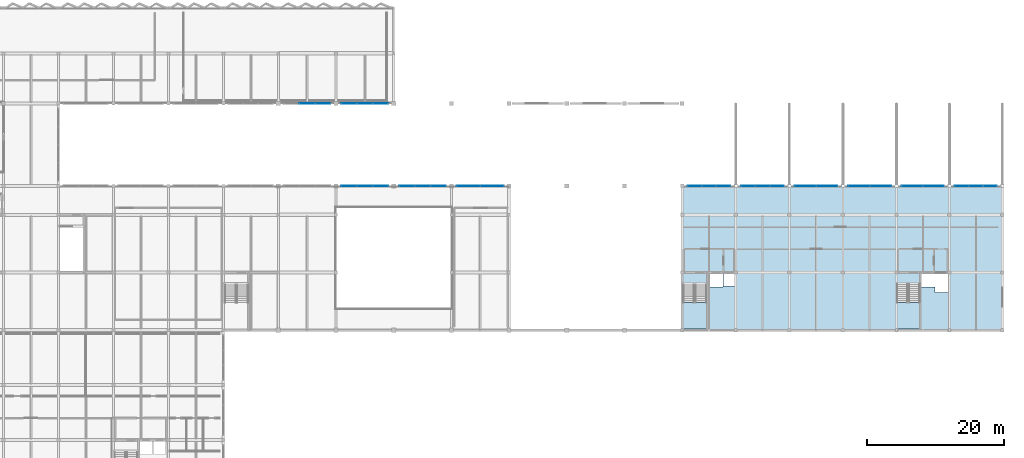
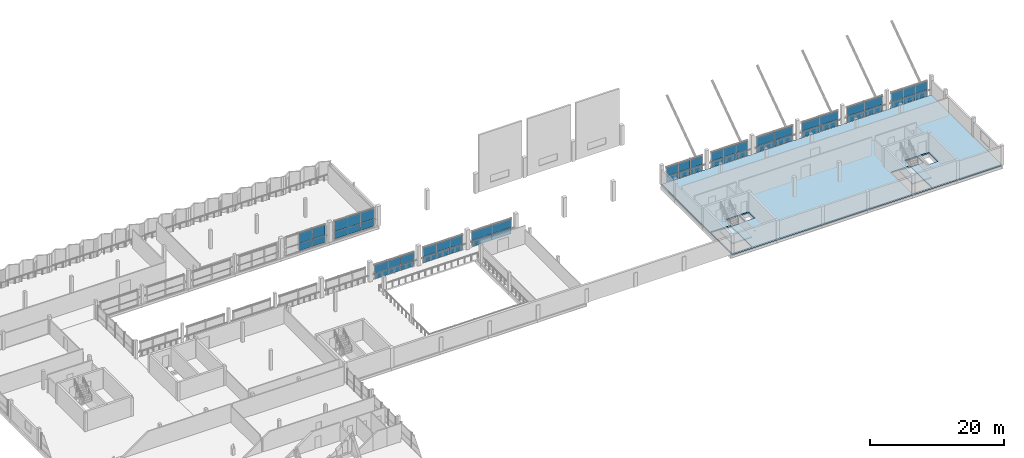
# One storey, part 33 of 51: 56 plates, 3 slabs, 13 elements without a shape of their own.
"""IFC4 building model written with IfcOpenShell, lengths in metres."""

import ifcopenshell
import ifcopenshell.guid

model = None  # the IFC model being written
_history = None  # IfcOwnerHistory: only IFC2X3 demands one
_inside = {}  # id of a spatial element -> (the spatial element, [elements in it])
_under = {}  # id of a project, library or spatial element -> (it, [spatial elements below it])
_declared = {}  # id of a project -> (the project, [libraries it declares])
_typed = {}  # id of a type object -> (the type object, [elements of that type])
_made_of = {}  # id of a material, layer set ... -> (it, [elements and type objects made of it])


def new_model(schema):
    """Start an empty IFC model of exactly this schema.

    Asked for "IFC4X3", IfcOpenShell would pick the latest addendum, in which some entities
    have other attributes; the version numbers below select the first issue.
    IFC2X3 requires an IfcOwnerHistory on every rooted entity: one is made here for all.
    """
    global model, _history
    if schema == "IFC4X3":
        model = ifcopenshell.file(schema_version=(4, 3, 0, 0))
    else:
        model = ifcopenshell.file(schema=schema)
    _inside.clear()
    _under.clear()
    _declared.clear()
    _typed.clear()
    _made_of.clear()
    _history = None
    if model.schema == "IFC2X3":
        org = make("IfcOrganization", Name="unknown")
        user = make(
            "IfcPersonAndOrganization",
            ThePerson=make("IfcPerson", FamilyName="unknown"),
            TheOrganization=org,
        )
        app = make(
            "IfcApplication",
            ApplicationDeveloper=org,
            Version="unknown",
            ApplicationFullName="unknown",
            ApplicationIdentifier="unknown",
        )
        _history = make(
            "IfcOwnerHistory",
            OwningUser=user,
            OwningApplication=app,
            ChangeAction="ADDED",
            CreationDate=0,
        )
    return model


def make(cls, **values):
    """One entity of the class cls with the attributes given. An attribute that is None is left unset."""
    return model.create_entity(
        cls, **{name: value for name, value in values.items() if value is not None}
    )


def rooted(cls, **values):
    """An entity with a GlobalId (a new one), such as an element, a storey or a relation."""
    return make(cls, GlobalId=ifcopenshell.guid.new(), OwnerHistory=_history, **values)


def si_unit(unit_type, name, prefix=None):
    """IfcSIUnit, for example si_unit("LENGTHUNIT", "METRE", prefix="MILLI")."""
    return make("IfcSIUnit", UnitType=unit_type, Prefix=prefix, Name=name)


def assignment(units):
    """IfcUnitAssignment: the units of a project."""
    return None if units is None else make("IfcUnitAssignment", Units=units)


def point(xyz):
    """IfcCartesianPoint."""
    return None if xyz is None else make("IfcCartesianPoint", Coordinates=xyz)


def direction(xyz):
    """IfcDirection."""
    return None if xyz is None else make("IfcDirection", DirectionRatios=xyz)


def frame(location, z_axis=None, x_axis=None):
    """IfcAxis2Placement3D, a coordinate frame: its origin and axes. An axis left out is left unset."""
    return make(
        "IfcAxis2Placement3D",
        Location=point(location),
        Axis=direction(z_axis),
        RefDirection=direction(x_axis),
    )


def frame_2d(location, x_axis=None):
    """IfcAxis2Placement2D, a coordinate frame in the plane: its origin and x axis."""
    return make(
        "IfcAxis2Placement2D", Location=point(location), RefDirection=direction(x_axis)
    )


def origin():
    """The frame at (0, 0, 0) with its axes left unset."""
    return frame((0.0, 0.0, 0.0))


def origin_2d():
    """The frame at (0, 0) in the plane with its x axis left unset."""
    return frame_2d((0.0, 0.0))


def place(relative_to, where):
    """IfcLocalPlacement: puts the frame where relative to a parent placement (None: the world)."""
    return make(
        "IfcLocalPlacement", PlacementRelTo=relative_to, RelativePlacement=where
    )


def context(
    kind, dimensions, precision=None, world=None, true_north=None, identifier=None
):
    """IfcGeometricRepresentationContext, for example the 3D "Model" context."""
    return make(
        "IfcGeometricRepresentationContext",
        ContextIdentifier=identifier,
        ContextType=kind,
        CoordinateSpaceDimension=dimensions,
        Precision=precision,
        WorldCoordinateSystem=world,
        TrueNorth=true_north,
    )


def subcontext(parent, identifier, kind, view, scale=None):
    """IfcGeometricRepresentationSubContext, for example "Body" below "Model"."""
    return make(
        "IfcGeometricRepresentationSubContext",
        ContextIdentifier=identifier,
        ContextType=kind,
        ParentContext=parent,
        TargetScale=scale,
        TargetView=view,
    )


def project(units=None, contexts=None):
    """IfcProject with its units and contexts."""
    return rooted(
        "IfcProject",
        Name="project",
        RepresentationContexts=contexts,
        UnitsInContext=assignment(units),
    )


def spatial(cls, under=None, at=None, **own):
    """A site, building, storey or space (cls), placed at a placement, below another one or the project."""
    s = rooted(cls, ObjectPlacement=at, **own)
    if under is not None:
        _under.setdefault(under.id(), (under, []))[1].append(s)
    return s


def polyline(points):
    """IfcPolyline through the points."""
    return make("IfcPolyline", Points=[point(p) for p in points])


def profile(cls, at=None, kind="AREA", **sizes):
    """A parametric profile (cls). Its sizes go by their IFC names, for example OverallWidth=200.0."""
    return make(cls, ProfileType=kind, Position=at, **sizes)


def rectangle(**sizes):
    """IfcRectangleProfileDef."""
    return profile("IfcRectangleProfileDef", **sizes)


def outline(outer, holes=None, kind="AREA"):
    """IfcArbitraryClosedProfileDef: a profile drawn as a closed curve; with holes, ...WithVoids."""
    if holes is None:
        return make("IfcArbitraryClosedProfileDef", ProfileType=kind, OuterCurve=outer)
    return make(
        "IfcArbitraryProfileDefWithVoids",
        ProfileType=kind,
        OuterCurve=outer,
        InnerCurves=holes,
    )


def extrude(swept, where, along, depth):
    """IfcExtrudedAreaSolid: the profile swept, set in the frame where, extruded along a direction by depth."""
    return make(
        "IfcExtrudedAreaSolid",
        SweptArea=swept,
        Position=where,
        ExtrudedDirection=direction(along),
        Depth=depth,
    )


def shape(context_of_items, identifier, shape_type, items):
    """IfcShapeRepresentation: the items that make up one representation, for example the "Body"."""
    return make(
        "IfcShapeRepresentation",
        ContextOfItems=context_of_items,
        RepresentationIdentifier=identifier,
        RepresentationType=shape_type,
        Items=items,
    )


def material(Name=None, Category=None):
    """IfcMaterial."""
    return make("IfcMaterial", Name=Name, Category=Category)


def layer(
    of_material, thickness, ventilated=None, Name=None, Category=None, Priority=None
):
    """IfcMaterialLayer: one layer of a wall or slab, of a material (None: an air gap)."""
    return make(
        "IfcMaterialLayer",
        Material=of_material,
        LayerThickness=thickness,
        IsVentilated=ventilated,
        Name=Name,
        Category=Category,
        Priority=Priority,
    )


def layer_set(layers, Name=None):
    """IfcMaterialLayerSet."""
    return make("IfcMaterialLayerSet", MaterialLayers=layers, LayerSetName=Name)


def made_of(thing, what):
    """Note that an element or type object is made of a material, layer set ...; save() writes the relation."""
    if what is not None:
        _made_of.setdefault(what.id(), (what, []))[1].append(thing)
    return thing


def type_object(cls, material=None, **own):
    """A type object (cls), such as IfcWallType, which elements share."""
    return made_of(rooted(cls, **own), material)


def element(
    cls,
    number,
    at=None,
    inside=None,
    cuts=None,
    type_object=None,
    material=None,
    context=None,
    identifier="Body",
    shape_type=None,
    held_by="IfcProductDefinitionShape",
    body=None,
    shapes=None,
    **own,
):
    """One element of the class cls, such as IfcWall. Its Tag is "e" and its number.

    at: its placement. inside: the storey or other place that contains it. cuts: it is an
    opening in that element (IfcRelVoidsElement). A single representation is given by context,
    identifier, shape_type and body (its items); several are given by shapes. held_by: the class
    of the entity that holds the representations. save() writes the other relations.
    """
    e = rooted(cls, Tag="e%d" % number, ObjectPlacement=at, **own)
    if body is not None:
        shapes = [shape(context, identifier, shape_type, body)]
    if shapes is not None:
        e.Representation = make(held_by, Representations=shapes)
    if inside is not None:
        _inside.setdefault(inside.id(), (inside, []))[1].append(e)
    if cuts is not None:
        rooted(
            "IfcRelVoidsElement", RelatingBuildingElement=cuts, RelatedOpeningElement=e
        )
    if type_object is not None:
        _typed.setdefault(type_object.id(), (type_object, []))[1].append(e)
    return made_of(e, material)


def aggregate(whole, parts):
    """IfcRelAggregates: a whole, such as a stair, and the parts it consists of."""
    return rooted("IfcRelAggregates", RelatingObject=whole, RelatedObjects=parts)


def save(model, path):
    """Write the relations noted so far, then the file.

    IfcRelAggregates (storeys below a building ...), IfcRelContainedInSpatialStructure (elements
    in a storey), IfcRelDefinesByType, IfcRelAssociatesMaterial and IfcRelDeclares: one each for
    every whole, place, type object, material and project.
    """
    for whole, parts in _under.values():
        aggregate(whole, parts)
    for where, things in _inside.values():
        rooted(
            "IfcRelContainedInSpatialStructure",
            RelatedElements=things,
            RelatingStructure=where,
        )
    for kind, things in _typed.values():
        rooted("IfcRelDefinesByType", RelatedObjects=things, RelatingType=kind)
    for what, things in _made_of.values():
        rooted("IfcRelAssociatesMaterial", RelatedObjects=things, RelatingMaterial=what)
    for by, libraries in _declared.values():
        rooted("IfcRelDeclares", RelatingContext=by, RelatedDefinitions=libraries)
    model.write(path)


model = new_model("IFC4")

# Units and contexts
model_context = context("Model", 3, precision=1e-05, world=origin(), true_north=direction((0.0, 1.0)))
body_context = subcontext(model_context, "Body", "Model", "MODEL_VIEW")
ifc_project = project(units=[si_unit("LENGTHUNIT", "METRE"), si_unit("AREAUNIT", "SQUARE_METRE"), si_unit("VOLUMEUNIT", "CUBIC_METRE"), si_unit("PLANEANGLEUNIT", "RADIAN"), si_unit("MASSUNIT", "GRAM", prefix="KILO")], contexts=[model_context])

# Site, building, storey
site_placement = place(None, origin())
site = spatial("IfcSite", under=ifc_project, at=site_placement, CompositionType="ELEMENT")
building_placement = place(site_placement, origin())
building = spatial("IfcBuilding", under=site, at=building_placement, Name="Vharandega Faculty of Natural Sciences", CompositionType="ELEMENT")
storey_placement = place(building_placement, frame((0.0, 0.0, 14.39990234375)))
storey = spatial("IfcBuildingStorey", under=building, at=storey_placement, Name="L03", CompositionType="ELEMENT", Elevation=14.39990234375)

# Curtain wall, plates
ifc_material_1 = material(Name="Aluminium and solar-control glass curtain wall", Category="aluminium")
curtain_wall_type_1 = type_object("IfcCurtainWallType", Name="Unitised Curtain Wall System CW-15", PredefinedType="NOTDEFINED", material=ifc_material_1)
curtain_wall_1_placement = place(storey_placement, origin())
curtain_wall_1 = element("IfcCurtainWall", 1, at=curtain_wall_1_placement, inside=storey, type_object=curtain_wall_type_1, Name="Curtain Wall CW-L03-014", PredefinedType="NOTDEFINED")
ifc_material_2 = material(Name="Double-glazed low-E solar glass", Category="glass")
ifc_layer_1 = layer(ifc_material_2, 0.028076171875, Name="Double-glazed low-E solar glass")
ifc_layer_set_1 = layer_set([ifc_layer_1], Name="Double-glazed low-E solar glass")
plate_type_1 = type_object("IfcPlateType", Name="CW Solar Vision Panel 28mm", PredefinedType="CURTAIN_PANEL", material=ifc_layer_set_1)
plate_1_placement = place(storey_placement, frame((116.6083984375, 85.0, 0.06005859375), z_axis=(0.0, 0.0, 1.0), x_axis=(1.0, 0.0, 0.0)))
plate_1 = element("IfcPlate", 2, at=plate_1_placement, type_object=plate_type_1, Name="CW-15 panel 1.1", PredefinedType="CURTAIN_PANEL", context=body_context, shape_type="SweptSolid", body=[
    extrude(rectangle(XDim=2.0166015625, YDim=0.028076171875, at=origin_2d()), origin(), (0.0, 0.0, 1.0), 1.0859375),
])
plate_2_placement = place(storey_placement, frame((116.6083984375, 85.0, 1.2060546875), z_axis=(0.0, 0.0, 1.0), x_axis=(1.0, 0.0, 0.0)))
plate_2 = element("IfcPlate", 3, at=plate_2_placement, type_object=plate_type_1, Name="CW-15 panel 1.2", PredefinedType="CURTAIN_PANEL", context=body_context, shape_type="SweptSolid", body=[
    extrude(rectangle(XDim=2.0166015625, YDim=0.028076171875, at=origin_2d()), origin(), (0.0, 0.0, 1.0), 1.533935546875),
])
plate_3_placement = place(storey_placement, frame((118.699951171875, 85.0, 0.06005859375), z_axis=(0.0, 0.0, 1.0), x_axis=(1.0, 0.0, 0.0)))
plate_3 = element("IfcPlate", 4, at=plate_3_placement, type_object=plate_type_1, Name="CW-15 panel 2.1", PredefinedType="CURTAIN_PANEL", context=body_context, shape_type="SweptSolid", body=[
    extrude(rectangle(XDim=2.046630859375, YDim=0.028076171875, at=origin_2d()), origin(), (0.0, 0.0, 1.0), 1.0859375),
])
plate_4_placement = place(storey_placement, frame((118.699951171875, 85.0, 1.2060546875), z_axis=(0.0, 0.0, 1.0), x_axis=(1.0, 0.0, 0.0)))
plate_4 = element("IfcPlate", 5, at=plate_4_placement, type_object=plate_type_1, Name="CW-15 panel 2.2", PredefinedType="CURTAIN_PANEL", context=body_context, shape_type="SweptSolid", body=[
    extrude(rectangle(XDim=2.046630859375, YDim=0.028076171875, at=origin_2d()), origin(), (0.0, 0.0, 1.0), 1.533935546875),
])
plate_5_placement = place(storey_placement, frame((120.791748046875, 85.0, 0.06005859375), z_axis=(0.0, 0.0, 1.0), x_axis=(1.0, 0.0, 0.0)))
plate_5 = element("IfcPlate", 6, at=plate_5_placement, type_object=plate_type_1, Name="CW-15 panel 3.1", PredefinedType="CURTAIN_PANEL", context=body_context, shape_type="SweptSolid", body=[
    extrude(rectangle(XDim=2.0166015625, YDim=0.028076171875, at=origin_2d()), origin(), (0.0, 0.0, 1.0), 1.0859375),
])
plate_6_placement = place(storey_placement, frame((120.791748046875, 85.0, 1.2060546875), z_axis=(0.0, 0.0, 1.0), x_axis=(1.0, 0.0, 0.0)))
plate_6 = element("IfcPlate", 7, at=plate_6_placement, type_object=plate_type_1, Name="CW-15 panel 3.2", PredefinedType="CURTAIN_PANEL", context=body_context, shape_type="SweptSolid", body=[
    extrude(rectangle(XDim=2.0166015625, YDim=0.028076171875, at=origin_2d()), origin(), (0.0, 0.0, 1.0), 1.533935546875),
])
aggregate(curtain_wall_1, [plate_1, plate_2, plate_3, plate_4, plate_5, plate_6])

ifc_material_3 = material(Name="Aluminium and solar-control glass curtain wall", Category="aluminium")
curtain_wall_type_2 = type_object("IfcCurtainWallType", Name="Unitised Curtain Wall System CW-16", PredefinedType="NOTDEFINED", material=ifc_material_3)
curtain_wall_2_placement = place(storey_placement, origin())
curtain_wall_2 = element("IfcCurtainWall", 8, at=curtain_wall_2_placement, inside=storey, type_object=curtain_wall_type_2, Name="Curtain Wall CW-L03-015", PredefinedType="NOTDEFINED")
plate_7_placement = place(storey_placement, frame((124.408447265625, 85.0, 0.06005859375), z_axis=(0.0, 0.0, 1.0), x_axis=(1.0, 0.0, 0.0)))
plate_7 = element("IfcPlate", 9, at=plate_7_placement, type_object=plate_type_1, Name="CW-16 panel 1.1", PredefinedType="CURTAIN_PANEL", context=body_context, shape_type="SweptSolid", body=[
    extrude(rectangle(XDim=2.0166015625, YDim=0.028076171875, at=origin_2d()), origin(), (0.0, 0.0, 1.0), 1.0859375),
])
plate_8_placement = place(storey_placement, frame((124.408447265625, 85.0, 1.2060546875), z_axis=(0.0, 0.0, 1.0), x_axis=(1.0, 0.0, 0.0)))
plate_8 = element("IfcPlate", 10, at=plate_8_placement, type_object=plate_type_1, Name="CW-16 panel 1.2", PredefinedType="CURTAIN_PANEL", context=body_context, shape_type="SweptSolid", body=[
    extrude(rectangle(XDim=2.0166015625, YDim=0.028076171875, at=origin_2d()), origin(), (0.0, 0.0, 1.0), 1.533935546875),
])
plate_9_placement = place(storey_placement, frame((126.5, 85.0, 0.06005859375), z_axis=(0.0, 0.0, 1.0), x_axis=(1.0, 0.0, 0.0)))
plate_9 = element("IfcPlate", 11, at=plate_9_placement, type_object=plate_type_1, Name="CW-16 panel 2.1", PredefinedType="CURTAIN_PANEL", context=body_context, shape_type="SweptSolid", body=[
    extrude(rectangle(XDim=2.046630859375, YDim=0.028076171875, at=origin_2d()), origin(), (0.0, 0.0, 1.0), 1.0859375),
])
plate_10_placement = place(storey_placement, frame((126.5, 85.0, 1.2060546875), z_axis=(0.0, 0.0, 1.0), x_axis=(1.0, 0.0, 0.0)))
plate_10 = element("IfcPlate", 12, at=plate_10_placement, type_object=plate_type_1, Name="CW-16 panel 2.2", PredefinedType="CURTAIN_PANEL", context=body_context, shape_type="SweptSolid", body=[
    extrude(rectangle(XDim=2.046630859375, YDim=0.028076171875, at=origin_2d()), origin(), (0.0, 0.0, 1.0), 1.533935546875),
])
plate_11_placement = place(storey_placement, frame((128.591552734375, 85.0, 0.06005859375), z_axis=(0.0, 0.0, 1.0), x_axis=(1.0, 0.0, 0.0)))
plate_11 = element("IfcPlate", 13, at=plate_11_placement, type_object=plate_type_1, Name="CW-16 panel 3.1", PredefinedType="CURTAIN_PANEL", context=body_context, shape_type="SweptSolid", body=[
    extrude(rectangle(XDim=2.0166015625, YDim=0.028076171875, at=origin_2d()), origin(), (0.0, 0.0, 1.0), 1.0859375),
])
plate_12_placement = place(storey_placement, frame((128.591552734375, 85.0, 1.2060546875), z_axis=(0.0, 0.0, 1.0), x_axis=(1.0, 0.0, 0.0)))
plate_12 = element("IfcPlate", 14, at=plate_12_placement, type_object=plate_type_1, Name="CW-16 panel 3.2", PredefinedType="CURTAIN_PANEL", context=body_context, shape_type="SweptSolid", body=[
    extrude(rectangle(XDim=2.0166015625, YDim=0.028076171875, at=origin_2d()), origin(), (0.0, 0.0, 1.0), 1.533935546875),
])
aggregate(curtain_wall_2, [plate_7, plate_8, plate_9, plate_10, plate_11, plate_12])

ifc_material_4 = material(Name="Aluminium and solar-control glass curtain wall", Category="aluminium")
curtain_wall_type_3 = type_object("IfcCurtainWallType", Name="Unitised Curtain Wall System CW-17", PredefinedType="NOTDEFINED", material=ifc_material_4)
curtain_wall_3_placement = place(storey_placement, origin())
curtain_wall_3 = element("IfcCurtainWall", 15, at=curtain_wall_3_placement, inside=storey, type_object=curtain_wall_type_3, Name="Curtain Wall CW-L03-016", PredefinedType="NOTDEFINED")
plate_13_placement = place(storey_placement, frame((132.735107421875, 85.0, 0.06005859375), z_axis=(0.0, 0.0, 1.0), x_axis=(1.0, 0.0, 0.0)))
plate_13 = element("IfcPlate", 16, at=plate_13_placement, type_object=plate_type_1, Name="CW-17 panel 1.1", PredefinedType="CURTAIN_PANEL", context=body_context, shape_type="SweptSolid", body=[
    extrude(rectangle(XDim=3.070068359375, YDim=0.028076171875, at=origin_2d()), origin(), (0.0, 0.0, 1.0), 1.0859375),
])
plate_14_placement = place(storey_placement, frame((132.735107421875, 85.0, 1.2060546875), z_axis=(0.0, 0.0, 1.0), x_axis=(1.0, 0.0, 0.0)))
plate_14 = element("IfcPlate", 17, at=plate_14_placement, type_object=plate_type_1, Name="CW-17 panel 1.2", PredefinedType="CURTAIN_PANEL", context=body_context, shape_type="SweptSolid", body=[
    extrude(rectangle(XDim=3.070068359375, YDim=0.028076171875, at=origin_2d()), origin(), (0.0, 0.0, 1.0), 1.533935546875),
])
plate_15_placement = place(storey_placement, frame((135.864990234375, 85.0, 0.06005859375), z_axis=(0.0, 0.0, 1.0), x_axis=(1.0, 0.0, 0.0)))
plate_15 = element("IfcPlate", 18, at=plate_15_placement, type_object=plate_type_1, Name="CW-17 panel 2.1", PredefinedType="CURTAIN_PANEL", context=body_context, shape_type="SweptSolid", body=[
    extrude(rectangle(XDim=3.070068359375, YDim=0.028076171875, at=origin_2d()), origin(), (0.0, 0.0, 1.0), 1.0859375),
])
plate_16_placement = place(storey_placement, frame((135.864990234375, 85.0, 1.2060546875), z_axis=(0.0, 0.0, 1.0), x_axis=(1.0, 0.0, 0.0)))
plate_16 = element("IfcPlate", 19, at=plate_16_placement, type_object=plate_type_1, Name="CW-17 panel 2.2", PredefinedType="CURTAIN_PANEL", context=body_context, shape_type="SweptSolid", body=[
    extrude(rectangle(XDim=3.070068359375, YDim=0.028076171875, at=origin_2d()), origin(), (0.0, 0.0, 1.0), 1.533935546875),
])
aggregate(curtain_wall_3, [plate_13, plate_14, plate_15, plate_16])

ifc_material_5 = material(Name="Aluminium and solar-control glass curtain wall", Category="aluminium")
curtain_wall_type_4 = type_object("IfcCurtainWallType", Name="Unitised Curtain Wall System CW-18", PredefinedType="NOTDEFINED", material=ifc_material_5)
curtain_wall_4_placement = place(storey_placement, origin())
curtain_wall_4 = element("IfcCurtainWall", 20, at=curtain_wall_4_placement, inside=storey, type_object=curtain_wall_type_4, Name="Curtain Wall CW-L03-017", PredefinedType="NOTDEFINED")
plate_17_placement = place(storey_placement, frame((140.534912109375, 85.0, 0.06005859375), z_axis=(0.0, 0.0, 1.0), x_axis=(1.0, 0.0, 0.0)))
plate_17 = element("IfcPlate", 21, at=plate_17_placement, type_object=plate_type_1, Name="CW-18 panel 1.1", PredefinedType="CURTAIN_PANEL", context=body_context, shape_type="SweptSolid", body=[
    extrude(rectangle(XDim=3.070068359375, YDim=0.028076171875, at=origin_2d()), origin(), (0.0, 0.0, 1.0), 1.0859375),
])
plate_18_placement = place(storey_placement, frame((140.534912109375, 85.0, 1.2060546875), z_axis=(0.0, 0.0, 1.0), x_axis=(1.0, 0.0, 0.0)))
plate_18 = element("IfcPlate", 22, at=plate_18_placement, type_object=plate_type_1, Name="CW-18 panel 1.2", PredefinedType="CURTAIN_PANEL", context=body_context, shape_type="SweptSolid", body=[
    extrude(rectangle(XDim=3.070068359375, YDim=0.028076171875, at=origin_2d()), origin(), (0.0, 0.0, 1.0), 1.533935546875),
])
plate_19_placement = place(storey_placement, frame((143.6650390625, 85.0, 0.06005859375), z_axis=(0.0, 0.0, 1.0), x_axis=(1.0, 0.0, 0.0)))
plate_19 = element("IfcPlate", 23, at=plate_19_placement, type_object=plate_type_1, Name="CW-18 panel 2.1", PredefinedType="CURTAIN_PANEL", context=body_context, shape_type="SweptSolid", body=[
    extrude(rectangle(XDim=3.070068359375, YDim=0.028076171875, at=origin_2d()), origin(), (0.0, 0.0, 1.0), 1.0859375),
])
plate_20_placement = place(storey_placement, frame((143.6650390625, 85.0, 1.2060546875), z_axis=(0.0, 0.0, 1.0), x_axis=(1.0, 0.0, 0.0)))
plate_20 = element("IfcPlate", 24, at=plate_20_placement, type_object=plate_type_1, Name="CW-18 panel 2.2", PredefinedType="CURTAIN_PANEL", context=body_context, shape_type="SweptSolid", body=[
    extrude(rectangle(XDim=3.070068359375, YDim=0.028076171875, at=origin_2d()), origin(), (0.0, 0.0, 1.0), 1.533935546875),
])
aggregate(curtain_wall_4, [plate_17, plate_18, plate_19, plate_20])

ifc_material_6 = material(Name="Aluminium and solar-control glass curtain wall", Category="aluminium")
curtain_wall_type_5 = type_object("IfcCurtainWallType", Name="Unitised Curtain Wall System CW-19", PredefinedType="NOTDEFINED", material=ifc_material_6)
curtain_wall_5_placement = place(storey_placement, origin())
curtain_wall_5 = element("IfcCurtainWall", 25, at=curtain_wall_5_placement, inside=storey, type_object=curtain_wall_type_5, Name="Curtain Wall CW-L03-018", PredefinedType="NOTDEFINED")
plate_21_placement = place(storey_placement, frame((148.31005859375, 85.0, 0.06005859375), z_axis=(0.0, 0.0, 1.0), x_axis=(1.0, 0.0, 0.0)))
plate_21 = element("IfcPlate", 26, at=plate_21_placement, type_object=plate_type_1, Name="CW-19 panel 1.1", PredefinedType="CURTAIN_PANEL", context=body_context, shape_type="SweptSolid", body=[
    extrude(rectangle(XDim=3.02001953125, YDim=0.028076171875, at=origin_2d()), origin(), (0.0, 0.0, 1.0), 1.0859375),
])
plate_22_placement = place(storey_placement, frame((148.31005859375, 85.0, 1.2060546875), z_axis=(0.0, 0.0, 1.0), x_axis=(1.0, 0.0, 0.0)))
plate_22 = element("IfcPlate", 27, at=plate_22_placement, type_object=plate_type_1, Name="CW-19 panel 1.2", PredefinedType="CURTAIN_PANEL", context=body_context, shape_type="SweptSolid", body=[
    extrude(rectangle(XDim=3.02001953125, YDim=0.028076171875, at=origin_2d()), origin(), (0.0, 0.0, 1.0), 1.533935546875),
])
plate_23_placement = place(storey_placement, frame((151.389892578125, 85.0, 0.06005859375), z_axis=(0.0, 0.0, 1.0), x_axis=(1.0, 0.0, 0.0)))
plate_23 = element("IfcPlate", 28, at=plate_23_placement, type_object=plate_type_1, Name="CW-19 panel 2.1", PredefinedType="CURTAIN_PANEL", context=body_context, shape_type="SweptSolid", body=[
    extrude(rectangle(XDim=3.02001953125, YDim=0.028076171875, at=origin_2d()), origin(), (0.0, 0.0, 1.0), 1.0859375),
])
plate_24_placement = place(storey_placement, frame((151.389892578125, 85.0, 1.2060546875), z_axis=(0.0, 0.0, 1.0), x_axis=(1.0, 0.0, 0.0)))
plate_24 = element("IfcPlate", 29, at=plate_24_placement, type_object=plate_type_1, Name="CW-19 panel 2.2", PredefinedType="CURTAIN_PANEL", context=body_context, shape_type="SweptSolid", body=[
    extrude(rectangle(XDim=3.02001953125, YDim=0.028076171875, at=origin_2d()), origin(), (0.0, 0.0, 1.0), 1.533935546875),
])
aggregate(curtain_wall_5, [plate_21, plate_22, plate_23, plate_24])

ifc_material_7 = material(Name="Aluminium and solar-control glass curtain wall", Category="aluminium")
curtain_wall_type_6 = type_object("IfcCurtainWallType", Name="Unitised Curtain Wall System CW-20", PredefinedType="NOTDEFINED", material=ifc_material_7)
curtain_wall_6_placement = place(storey_placement, origin())
curtain_wall_6 = element("IfcCurtainWall", 30, at=curtain_wall_6_placement, inside=storey, type_object=curtain_wall_type_6, Name="Curtain Wall CW-L03-019", PredefinedType="NOTDEFINED")
plate_25_placement = place(storey_placement, frame((155.49169921875, 85.0, 0.06005859375), z_axis=(0.0, 0.0, 1.0), x_axis=(1.0, 0.0, 0.0)))
plate_25 = element("IfcPlate", 31, at=plate_25_placement, type_object=plate_type_1, Name="CW-20 panel 1.1", PredefinedType="CURTAIN_PANEL", context=body_context, shape_type="SweptSolid", body=[
    extrude(rectangle(XDim=1.9833984375, YDim=0.028076171875, at=origin_2d()), origin(), (0.0, 0.0, 1.0), 1.0859375),
])
plate_26_placement = place(storey_placement, frame((155.49169921875, 85.0, 1.2060546875), z_axis=(0.0, 0.0, 1.0), x_axis=(1.0, 0.0, 0.0)))
plate_26 = element("IfcPlate", 32, at=plate_26_placement, type_object=plate_type_1, Name="CW-20 panel 1.2", PredefinedType="CURTAIN_PANEL", context=body_context, shape_type="SweptSolid", body=[
    extrude(rectangle(XDim=1.9833984375, YDim=0.028076171875, at=origin_2d()), origin(), (0.0, 0.0, 1.0), 1.533935546875),
])
plate_27_placement = place(storey_placement, frame((157.550048828125, 85.0, 0.06005859375), z_axis=(0.0, 0.0, 1.0), x_axis=(1.0, 0.0, 0.0)))
plate_27 = element("IfcPlate", 33, at=plate_27_placement, type_object=plate_type_1, Name="CW-20 panel 2.1", PredefinedType="CURTAIN_PANEL", context=body_context, shape_type="SweptSolid", body=[
    extrude(rectangle(XDim=2.013427734375, YDim=0.028076171875, at=origin_2d()), origin(), (0.0, 0.0, 1.0), 1.0859375),
])
plate_28_placement = place(storey_placement, frame((157.550048828125, 85.0, 1.2060546875), z_axis=(0.0, 0.0, 1.0), x_axis=(1.0, 0.0, 0.0)))
plate_28 = element("IfcPlate", 34, at=plate_28_placement, type_object=plate_type_1, Name="CW-20 panel 2.2", PredefinedType="CURTAIN_PANEL", context=body_context, shape_type="SweptSolid", body=[
    extrude(rectangle(XDim=2.013427734375, YDim=0.028076171875, at=origin_2d()), origin(), (0.0, 0.0, 1.0), 1.533935546875),
])
plate_29_placement = place(storey_placement, frame((159.6083984375, 85.0, 0.06005859375), z_axis=(0.0, 0.0, 1.0), x_axis=(1.0, 0.0, 0.0)))
plate_29 = element("IfcPlate", 35, at=plate_29_placement, type_object=plate_type_1, Name="CW-20 panel 3.1", PredefinedType="CURTAIN_PANEL", context=body_context, shape_type="SweptSolid", body=[
    extrude(rectangle(XDim=1.9833984375, YDim=0.028076171875, at=origin_2d()), origin(), (0.0, 0.0, 1.0), 1.0859375),
])
plate_30_placement = place(storey_placement, frame((159.6083984375, 85.0, 1.2060546875), z_axis=(0.0, 0.0, 1.0), x_axis=(1.0, 0.0, 0.0)))
plate_30 = element("IfcPlate", 36, at=plate_30_placement, type_object=plate_type_1, Name="CW-20 panel 3.2", PredefinedType="CURTAIN_PANEL", context=body_context, shape_type="SweptSolid", body=[
    extrude(rectangle(XDim=1.9833984375, YDim=0.028076171875, at=origin_2d()), origin(), (0.0, 0.0, 1.0), 1.533935546875),
])
aggregate(curtain_wall_6, [plate_25, plate_26, plate_27, plate_28, plate_29, plate_30])

curtain_wall_7_placement = place(storey_placement, origin())
curtain_wall_7 = element("IfcCurtainWall", 37, at=curtain_wall_7_placement, inside=storey, type_object=curtain_wall_type_2, Name="Curtain Wall CW-L03-071", PredefinedType="NOTDEFINED")
plate_31_placement = place(storey_placement, frame((60.199951171875, 97.0, 0.06005859375), z_axis=(0.0, 0.0, 1.0), x_axis=(1.0, 0.0, 0.0)))
plate_31 = element("IfcPlate", 38, at=plate_31_placement, type_object=plate_type_1, Name="CW-16 panel 2.1", PredefinedType="CURTAIN_PANEL", context=body_context, shape_type="SweptSolid", body=[
    extrude(rectangle(XDim=2.24658203125, YDim=0.028076171875, at=origin_2d()), origin(), (0.0, 0.0, 1.0), 1.304443359375),
])
plate_32_placement = place(storey_placement, frame((60.199951171875, 97.0, 1.42431640625), z_axis=(0.0, 0.0, 1.0), x_axis=(1.0, 0.0, 0.0)))
plate_32 = element("IfcPlate", 39, at=plate_32_placement, type_object=plate_type_1, Name="CW-16 panel 2.2", PredefinedType="CURTAIN_PANEL", context=body_context, shape_type="SweptSolid", body=[
    extrude(rectangle(XDim=2.24658203125, YDim=0.028076171875, at=origin_2d()), origin(), (0.0, 0.0, 1.0), 1.835693359375),
])
plate_33_placement = place(storey_placement, frame((62.49169921875, 97.0, 0.06005859375), z_axis=(0.0, 0.0, 1.0), x_axis=(1.0, 0.0, 0.0)))
plate_33 = element("IfcPlate", 40, at=plate_33_placement, type_object=plate_type_1, Name="CW-16 panel 3.1", PredefinedType="CURTAIN_PANEL", context=body_context, shape_type="SweptSolid", body=[
    extrude(rectangle(XDim=2.216552734375, YDim=0.028076171875, at=origin_2d()), origin(), (0.0, 0.0, 1.0), 1.304443359375),
])
plate_34_placement = place(storey_placement, frame((62.49169921875, 97.0, 1.42431640625), z_axis=(0.0, 0.0, 1.0), x_axis=(1.0, 0.0, 0.0)))
plate_34 = element("IfcPlate", 41, at=plate_34_placement, type_object=plate_type_1, Name="CW-16 panel 3.2", PredefinedType="CURTAIN_PANEL", context=body_context, shape_type="SweptSolid", body=[
    extrude(rectangle(XDim=2.216552734375, YDim=0.028076171875, at=origin_2d()), origin(), (0.0, 0.0, 1.0), 1.835693359375),
])
aggregate(curtain_wall_7, [plate_31, plate_32, plate_33, plate_34])

curtain_wall_8_placement = place(storey_placement, origin())
curtain_wall_8 = element("IfcCurtainWall", 42, at=curtain_wall_8_placement, inside=storey, type_object=curtain_wall_type_2, Name="Curtain Wall CW-L03-099", PredefinedType="NOTDEFINED")
plate_35_placement = place(storey_placement, frame((66.308349609375, 85.0, 0.06005859375), z_axis=(0.0, 0.0, 1.0), x_axis=(1.0, 0.0, 0.0)))
plate_35 = element("IfcPlate", 43, at=plate_35_placement, type_object=plate_type_1, Name="CW-16 panel 1.1", PredefinedType="CURTAIN_PANEL", context=body_context, shape_type="SweptSolid", body=[
    extrude(rectangle(XDim=2.216552734375, YDim=0.028076171875, at=origin_2d()), origin(), (0.0, 0.0, 1.0), 1.010498046875),
])
plate_36_placement = place(storey_placement, frame((66.308349609375, 85.0, 1.13037109375), z_axis=(0.0, 0.0, 1.0), x_axis=(1.0, 0.0, 0.0)))
plate_36 = element("IfcPlate", 44, at=plate_36_placement, type_object=plate_type_1, Name="CW-16 panel 1.2", PredefinedType="CURTAIN_PANEL", context=body_context, shape_type="SweptSolid", body=[
    extrude(rectangle(XDim=2.216552734375, YDim=0.028076171875, at=origin_2d()), origin(), (0.0, 0.0, 1.0), 1.4296875),
])
plate_37_placement = place(storey_placement, frame((68.60009765625, 85.0, 0.06005859375), z_axis=(0.0, 0.0, 1.0), x_axis=(1.0, 0.0, 0.0)))
plate_37 = element("IfcPlate", 45, at=plate_37_placement, type_object=plate_type_1, Name="CW-16 panel 2.1", PredefinedType="CURTAIN_PANEL", context=body_context, shape_type="SweptSolid", body=[
    extrude(rectangle(XDim=2.24658203125, YDim=0.028076171875, at=origin_2d()), origin(), (0.0, 0.0, 1.0), 1.010498046875),
])
plate_38_placement = place(storey_placement, frame((68.60009765625, 85.0, 1.13037109375), z_axis=(0.0, 0.0, 1.0), x_axis=(1.0, 0.0, 0.0)))
plate_38 = element("IfcPlate", 46, at=plate_38_placement, type_object=plate_type_1, Name="CW-16 panel 2.2", PredefinedType="CURTAIN_PANEL", context=body_context, shape_type="SweptSolid", body=[
    extrude(rectangle(XDim=2.24658203125, YDim=0.028076171875, at=origin_2d()), origin(), (0.0, 0.0, 1.0), 1.4296875),
])
plate_39_placement = place(storey_placement, frame((70.8916015625, 85.0, 0.06005859375), z_axis=(0.0, 0.0, 1.0), x_axis=(1.0, 0.0, 0.0)))
plate_39 = element("IfcPlate", 47, at=plate_39_placement, type_object=plate_type_1, Name="CW-16 panel 3.1", PredefinedType="CURTAIN_PANEL", context=body_context, shape_type="SweptSolid", body=[
    extrude(rectangle(XDim=2.216552734375, YDim=0.028076171875, at=origin_2d()), origin(), (0.0, 0.0, 1.0), 1.010498046875),
])
plate_40_placement = place(storey_placement, frame((70.8916015625, 85.0, 1.13037109375), z_axis=(0.0, 0.0, 1.0), x_axis=(1.0, 0.0, 0.0)))
plate_40 = element("IfcPlate", 48, at=plate_40_placement, type_object=plate_type_1, Name="CW-16 panel 3.2", PredefinedType="CURTAIN_PANEL", context=body_context, shape_type="SweptSolid", body=[
    extrude(rectangle(XDim=2.216552734375, YDim=0.028076171875, at=origin_2d()), origin(), (0.0, 0.0, 1.0), 1.4296875),
])
aggregate(curtain_wall_8, [plate_35, plate_36, plate_37, plate_38, plate_39, plate_40])

curtain_wall_9_placement = place(storey_placement, origin())
curtain_wall_9 = element("IfcCurtainWall", 49, at=curtain_wall_9_placement, inside=storey, type_object=curtain_wall_type_3, Name="Curtain Wall CW-L03-100", PredefinedType="NOTDEFINED")
plate_41_placement = place(storey_placement, frame((74.708251953125, 85.0, 0.06005859375), z_axis=(0.0, 0.0, 1.0), x_axis=(1.0, 0.0, 0.0)))
plate_41 = element("IfcPlate", 50, at=plate_41_placement, type_object=plate_type_1, Name="CW-17 panel 1.1", PredefinedType="CURTAIN_PANEL", context=body_context, shape_type="SweptSolid", body=[
    extrude(rectangle(XDim=2.216552734375, YDim=0.028076171875, at=origin_2d()), origin(), (0.0, 0.0, 1.0), 1.094482421875),
])
plate_42_placement = place(storey_placement, frame((74.708251953125, 85.0, 1.21435546875), z_axis=(0.0, 0.0, 1.0), x_axis=(1.0, 0.0, 0.0)))
plate_42 = element("IfcPlate", 51, at=plate_42_placement, type_object=plate_type_1, Name="CW-17 panel 1.2", PredefinedType="CURTAIN_PANEL", context=body_context, shape_type="SweptSolid", body=[
    extrude(rectangle(XDim=2.216552734375, YDim=0.028076171875, at=origin_2d()), origin(), (0.0, 0.0, 1.0), 1.545654296875),
])
plate_43_placement = place(storey_placement, frame((77.0, 85.0, 0.06005859375), z_axis=(0.0, 0.0, 1.0), x_axis=(1.0, 0.0, 0.0)))
plate_43 = element("IfcPlate", 52, at=plate_43_placement, type_object=plate_type_1, Name="CW-17 panel 2.1", PredefinedType="CURTAIN_PANEL", context=body_context, shape_type="SweptSolid", body=[
    extrude(rectangle(XDim=2.24658203125, YDim=0.028076171875, at=origin_2d()), origin(), (0.0, 0.0, 1.0), 1.094482421875),
])
plate_44_placement = place(storey_placement, frame((77.0, 85.0, 1.21435546875), z_axis=(0.0, 0.0, 1.0), x_axis=(1.0, 0.0, 0.0)))
plate_44 = element("IfcPlate", 53, at=plate_44_placement, type_object=plate_type_1, Name="CW-17 panel 2.2", PredefinedType="CURTAIN_PANEL", context=body_context, shape_type="SweptSolid", body=[
    extrude(rectangle(XDim=2.24658203125, YDim=0.028076171875, at=origin_2d()), origin(), (0.0, 0.0, 1.0), 1.545654296875),
])
plate_45_placement = place(storey_placement, frame((79.291748046875, 85.0, 0.06005859375), z_axis=(0.0, 0.0, 1.0), x_axis=(1.0, 0.0, 0.0)))
plate_45 = element("IfcPlate", 54, at=plate_45_placement, type_object=plate_type_1, Name="CW-17 panel 3.1", PredefinedType="CURTAIN_PANEL", context=body_context, shape_type="SweptSolid", body=[
    extrude(rectangle(XDim=2.216552734375, YDim=0.028076171875, at=origin_2d()), origin(), (0.0, 0.0, 1.0), 1.094482421875),
])
plate_46_placement = place(storey_placement, frame((79.291748046875, 85.0, 1.21435546875), z_axis=(0.0, 0.0, 1.0), x_axis=(1.0, 0.0, 0.0)))
plate_46 = element("IfcPlate", 55, at=plate_46_placement, type_object=plate_type_1, Name="CW-17 panel 3.2", PredefinedType="CURTAIN_PANEL", context=body_context, shape_type="SweptSolid", body=[
    extrude(rectangle(XDim=2.216552734375, YDim=0.028076171875, at=origin_2d()), origin(), (0.0, 0.0, 1.0), 1.545654296875),
])
aggregate(curtain_wall_9, [plate_41, plate_42, plate_43, plate_44, plate_45, plate_46])

curtain_wall_10_placement = place(storey_placement, origin())
curtain_wall_10 = element("IfcCurtainWall", 56, at=curtain_wall_10_placement, inside=storey, type_object=curtain_wall_type_4, Name="Curtain Wall CW-L03-101", PredefinedType="NOTDEFINED")
plate_47_placement = place(storey_placement, frame((83.68505859375, 85.0, 0.06005859375), z_axis=(0.0, 0.0, 1.0), x_axis=(1.0, 0.0, 0.0)))
plate_47 = element("IfcPlate", 57, at=plate_47_placement, type_object=plate_type_1, Name="CW-18 panel 1.1", PredefinedType="CURTAIN_PANEL", context=body_context, shape_type="SweptSolid", body=[
    extrude(rectangle(XDim=3.3701171875, YDim=0.028076171875, at=origin_2d()), origin(), (0.0, 0.0, 1.0), 1.094482421875),
])
plate_48_placement = place(storey_placement, frame((83.68505859375, 85.0, 1.21435546875), z_axis=(0.0, 0.0, 1.0), x_axis=(1.0, 0.0, 0.0)))
plate_48 = element("IfcPlate", 58, at=plate_48_placement, type_object=plate_type_1, Name="CW-18 panel 1.2", PredefinedType="CURTAIN_PANEL", context=body_context, shape_type="SweptSolid", body=[
    extrude(rectangle(XDim=3.3701171875, YDim=0.028076171875, at=origin_2d()), origin(), (0.0, 0.0, 1.0), 1.545654296875),
])
plate_49_placement = place(storey_placement, frame((87.114990234375, 85.0, 0.06005859375), z_axis=(0.0, 0.0, 1.0), x_axis=(1.0, 0.0, 0.0)))
plate_49 = element("IfcPlate", 59, at=plate_49_placement, type_object=plate_type_1, Name="CW-18 panel 2.1", PredefinedType="CURTAIN_PANEL", context=body_context, shape_type="SweptSolid", body=[
    extrude(rectangle(XDim=3.3701171875, YDim=0.028076171875, at=origin_2d()), origin(), (0.0, 0.0, 1.0), 1.094482421875),
])
plate_50_placement = place(storey_placement, frame((87.114990234375, 85.0, 1.21435546875), z_axis=(0.0, 0.0, 1.0), x_axis=(1.0, 0.0, 0.0)))
plate_50 = element("IfcPlate", 60, at=plate_50_placement, type_object=plate_type_1, Name="CW-18 panel 2.2", PredefinedType="CURTAIN_PANEL", context=body_context, shape_type="SweptSolid", body=[
    extrude(rectangle(XDim=3.3701171875, YDim=0.028076171875, at=origin_2d()), origin(), (0.0, 0.0, 1.0), 1.545654296875),
])
aggregate(curtain_wall_10, [plate_47, plate_48, plate_49, plate_50])

curtain_wall_11_placement = place(storey_placement, origin())
curtain_wall_11 = element("IfcCurtainWall", 61, at=curtain_wall_11_placement, inside=storey, type_object=curtain_wall_type_3, Name="Curtain Wall CW-L03-072", PredefinedType="NOTDEFINED")
ifc_material_8 = material(Name="Terracotta insulated spandrel panel", Category="masonry")
ifc_layer_2 = layer(ifc_material_8, 0.035888671875, Name="Terracotta insulated spandrel panel")
ifc_layer_set_2 = layer_set([ifc_layer_2], Name="Terracotta insulated spandrel panel")
plate_type_2 = type_object("IfcPlateType", Name="CW Terracotta Spandrel Panel 36mm", PredefinedType="CURTAIN_PANEL", material=ifc_layer_set_2)
plate_51_placement = place(storey_placement, frame((66.308349609375, 97.0, 0.06005859375), z_axis=(0.0, 0.0, 1.0), x_axis=(1.0, 0.0, 0.0)))
plate_51 = element("IfcPlate", 62, at=plate_51_placement, type_object=plate_type_2, Name="CW-17 panel 1.1", PredefinedType="CURTAIN_PANEL", context=body_context, shape_type="SweptSolid", body=[
    extrude(rectangle(XDim=2.216552734375, YDim=0.035888671875, at=origin_2d()), origin(), (0.0, 0.0, 1.0), 1.304443359375),
])
plate_52_placement = place(storey_placement, frame((66.308349609375, 97.0, 1.42431640625), z_axis=(0.0, 0.0, 1.0), x_axis=(1.0, 0.0, 0.0)))
plate_52 = element("IfcPlate", 63, at=plate_52_placement, type_object=plate_type_2, Name="CW-17 panel 1.2", PredefinedType="CURTAIN_PANEL", context=body_context, shape_type="SweptSolid", body=[
    extrude(rectangle(XDim=2.216552734375, YDim=0.035888671875, at=origin_2d()), origin(), (0.0, 0.0, 1.0), 1.835693359375),
])
plate_53_placement = place(storey_placement, frame((68.60009765625, 97.0, 0.06005859375), z_axis=(0.0, 0.0, 1.0), x_axis=(1.0, 0.0, 0.0)))
plate_53 = element("IfcPlate", 64, at=plate_53_placement, type_object=plate_type_2, Name="CW-17 panel 2.1", PredefinedType="CURTAIN_PANEL", context=body_context, shape_type="SweptSolid", body=[
    extrude(rectangle(XDim=2.24658203125, YDim=0.035888671875, at=origin_2d()), origin(), (0.0, 0.0, 1.0), 1.304443359375),
])
plate_54_placement = place(storey_placement, frame((68.60009765625, 97.0, 1.42431640625), z_axis=(0.0, 0.0, 1.0), x_axis=(1.0, 0.0, 0.0)))
plate_54 = element("IfcPlate", 65, at=plate_54_placement, type_object=plate_type_2, Name="CW-17 panel 2.2", PredefinedType="CURTAIN_PANEL", context=body_context, shape_type="SweptSolid", body=[
    extrude(rectangle(XDim=2.24658203125, YDim=0.035888671875, at=origin_2d()), origin(), (0.0, 0.0, 1.0), 1.835693359375),
])
plate_55_placement = place(storey_placement, frame((70.8916015625, 97.0, 0.06005859375), z_axis=(0.0, 0.0, 1.0), x_axis=(1.0, 0.0, 0.0)))
plate_55 = element("IfcPlate", 66, at=plate_55_placement, type_object=plate_type_2, Name="CW-17 panel 3.1", PredefinedType="CURTAIN_PANEL", context=body_context, shape_type="SweptSolid", body=[
    extrude(rectangle(XDim=2.216552734375, YDim=0.035888671875, at=origin_2d()), origin(), (0.0, 0.0, 1.0), 1.304443359375),
])
plate_56_placement = place(storey_placement, frame((70.8916015625, 97.0, 1.42431640625), z_axis=(0.0, 0.0, 1.0), x_axis=(1.0, 0.0, 0.0)))
plate_56 = element("IfcPlate", 67, at=plate_56_placement, type_object=plate_type_2, Name="CW-17 panel 3.2", PredefinedType="CURTAIN_PANEL", context=body_context, shape_type="SweptSolid", body=[
    extrude(rectangle(XDim=2.216552734375, YDim=0.035888671875, at=origin_2d()), origin(), (0.0, 0.0, 1.0), 1.835693359375),
])
aggregate(curtain_wall_11, [plate_51, plate_52, plate_53, plate_54, plate_55, plate_56])

# Slab
ifc_material_9 = material(Name="Cross-laminated timber CLT7-240", Category="wood")
ifc_layer_3 = layer(ifc_material_9, 0.239990234375, Name="Cross-laminated timber CLT7-240")
ifc_layer_set_3 = layer_set([ifc_layer_3], Name="Cross-laminated timber CLT7-240")
slab_type_1 = type_object("IfcSlabType", Name="SLAB-CLT-240", PredefinedType="FLOOR", material=ifc_layer_set_3)
slab_1_placement = place(storey_placement, frame((0.0, 0.0, -0.239990234375)))
element("IfcSlab", 68, at=slab_1_placement, inside=storey, type_object=slab_type_1, Name="L03 V4 Floor Slab", PredefinedType="FLOOR", context=body_context, shape_type="SweptSolid", body=[
    extrude(outline(polyline([(114.800048828125, 64.0), (161.39990234375, 64.0), (161.39990234375, 85.0), (114.800048828125, 85.0), (114.800048828125, 64.0)]), holes=[polyline([(114.93994140625, 70.544921875), (114.93994140625, 64.139892578125), (118.360107421875, 64.139892578125), (118.360107421875, 70.544921875), (114.93994140625, 70.544921875)]), polyline([(118.64990234375, 70.300048828125), (120.75, 70.300048828125), (120.75, 72.219970703125), (118.64990234375, 72.219970703125), (118.64990234375, 70.300048828125)]), polyline([(120.85009765625, 70.39990234375), (122.47998046875, 70.39990234375), (122.47998046875, 72.219970703125), (120.85009765625, 72.219970703125), (120.85009765625, 70.39990234375)]), polyline([(146.06005859375, 70.594970703125), (146.06005859375, 64.139892578125), (149.3798828125, 64.139892578125), (149.3798828125, 70.594970703125), (146.06005859375, 70.594970703125)]), polyline([(149.449951171875, 70.300048828125), (151.570068359375, 70.300048828125), (151.570068359375, 72.219970703125), (149.449951171875, 72.219970703125), (149.449951171875, 70.300048828125)]), polyline([(151.6201171875, 69.5), (153.639892578125, 69.5), (153.639892578125, 72.219970703125), (151.6201171875, 72.219970703125), (151.6201171875, 69.5)])]), origin(), (0.0, 0.0, 1.0), 0.239990234375),
])

# Stair, slab
ifc_material_10 = material(Name="Concrete C40/50", Category="concrete")
stair_type_1 = type_object("IfcStairType", Name="Escape Dog-Leg Stair W165 H360", PredefinedType="HALF_TURN_STAIR", material=ifc_material_10)
stair_1_placement = place(storey_placement, origin())
stair_1 = element("IfcStair", 69, at=stair_1_placement, inside=storey, type_object=stair_type_1, Name="L03 Escape Stair ST1", PredefinedType="HALF_TURN_STAIR")
ifc_material_11 = material(Name="Concrete C40/50", Category="concrete")
ifc_layer_4 = layer(ifc_material_11, 0.199951171875, Name="Concrete C40/50")
ifc_layer_set_4 = layer_set([ifc_layer_4], Name="Concrete C40/50")
slab_type_2 = type_object("IfcSlabType", Name="Stair Half-Landing Slab 200", PredefinedType="LANDING", material=ifc_layer_set_4)
slab_2_placement = place(storey_placement, frame((0.0, 0.0, 1.60009765625)))
slab_2 = element("IfcSlab", 70, at=slab_2_placement, type_object=slab_type_2, Name="ST1 landing 1", PredefinedType="LANDING", context=body_context, shape_type="SweptSolid", body=[
    extrude(outline(polyline([(114.93994140625, 68.0), (114.93994140625, 64.139892578125), (118.360107421875, 64.139892578125), (118.360107421875, 68.0), (114.93994140625, 68.0)])), origin(), (0.0, 0.0, 1.0), 0.199951171875),
])
aggregate(stair_1, [slab_2])

ifc_material_12 = material(Name="Concrete C40/50", Category="concrete")
stair_type_2 = type_object("IfcStairType", Name="Escape Dog-Leg Stair W160 H360", PredefinedType="HALF_TURN_STAIR", material=ifc_material_12)
stair_2_placement = place(storey_placement, origin())
stair_2 = element("IfcStair", 71, at=stair_2_placement, inside=storey, type_object=stair_type_2, Name="L03 Escape Stair ST2", PredefinedType="HALF_TURN_STAIR")
slab_3_placement = place(storey_placement, frame((0.0, 0.0, 1.60009765625)))
slab_3 = element("IfcSlab", 72, at=slab_3_placement, type_object=slab_type_2, Name="ST2 landing 1", PredefinedType="LANDING", context=body_context, shape_type="SweptSolid", body=[
    extrude(outline(polyline([(146.06005859375, 68.050048828125), (146.06005859375, 64.139892578125), (149.3798828125, 64.139892578125), (149.3798828125, 68.050048828125), (146.06005859375, 68.050048828125)])), origin(), (0.0, 0.0, 1.0), 0.199951171875),
])
aggregate(stair_2, [slab_3])

save(model, "model.ifc")
